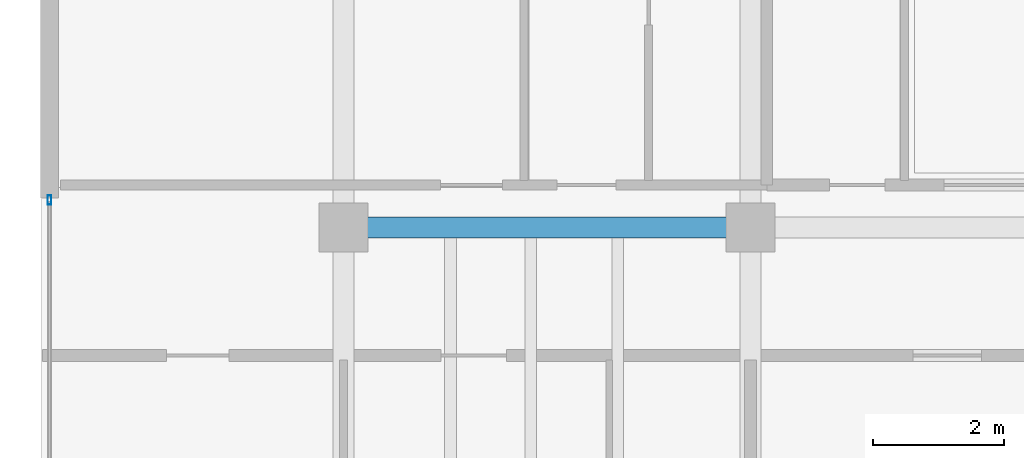
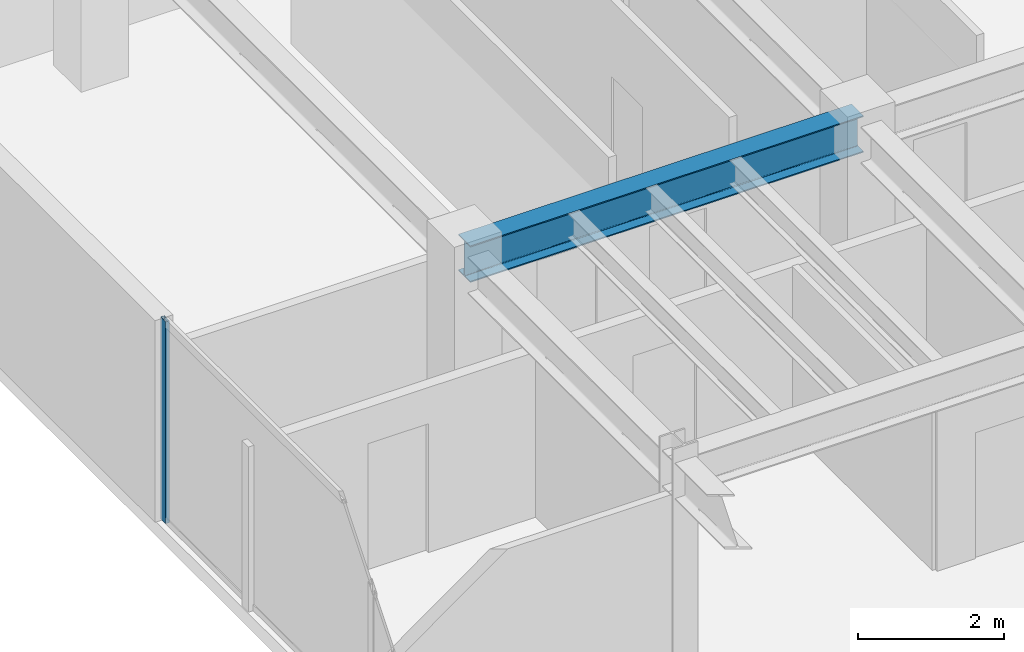
# One storey, part 11 of 16: 1 beam, 1 member, 1 element without a shape of its own.
"""IFC4 building model written with IfcOpenShell, lengths in metres."""

from ifc_helpers import new_model, si_unit, direction, frame, origin, origin_2d, place, context, subcontext, project, spatial, hollow_rectangle, i_section, extrude, material, layer, layer_set, material_profile, profile_set, type_object, element, aggregate, save


model = new_model("IFC4")

# Units and contexts
model_context = context("Model", 3, precision=1e-05, world=origin(), true_north=direction((0.0, 1.0)))
body_context = subcontext(model_context, "Body", "Model", "MODEL_VIEW")
ifc_project = project(units=[si_unit("LENGTHUNIT", "METRE"), si_unit("AREAUNIT", "SQUARE_METRE"), si_unit("VOLUMEUNIT", "CUBIC_METRE"), si_unit("PLANEANGLEUNIT", "RADIAN"), si_unit("MASSUNIT", "GRAM", prefix="KILO")], contexts=[model_context])

# Site, building, storey
site_placement = place(None, origin())
site = spatial("IfcSite", under=ifc_project, at=site_placement, CompositionType="ELEMENT")
building_placement = place(site_placement, origin())
building = spatial("IfcBuilding", under=site, at=building_placement, Name="Kravanh Interchange Tower", CompositionType="ELEMENT")
storey_placement = place(building_placement, frame((0.0, 0.0, 303.89990234375)))
storey = spatial("IfcBuildingStorey", under=building, at=storey_placement, Name="L75", CompositionType="ELEMENT", Elevation=303.89990234375)

# Curtain wall, member
ifc_material_1 = material(Name="Anodised Bronze Aluminium", Category="aluminium")
ifc_layer = layer(ifc_material_1, 0.179931640625)
ifc_layer_set = layer_set([ifc_layer], Name="Unitised Curtain Wall System CW-HTL Luxury Hotel")
curtain_wall_type = type_object("IfcCurtainWallType", Name="Unitised Curtain Wall System CW-HTL Luxury Hotel", PredefinedType="NOTDEFINED", material=ifc_layer_set)
curtain_wall_placement = place(storey_placement, origin())
curtain_wall = element("IfcCurtainWall", 1, at=curtain_wall_placement, inside=storey, type_object=curtain_wall_type, Name="L75 Unitised Curtain Wall CW-L75-01", PredefinedType="NOTDEFINED")
ifc_material_2 = material(Name="Anodised Bronze Aluminium", Category="aluminium")
ifc_material_profile_1 = material_profile(ifc_material_2, hollow_rectangle(XDim=0.06005859375, YDim=0.139892578125, WallThickness=0.00390625, at=origin_2d()), Name="ALU60X140X4")
ifc_profile_set_1 = profile_set([ifc_material_profile_1], Name="Anodised Bronze Aluminium")
member_type = type_object("IfcMemberType", Name="Curtain Wall Mullion ALU60X140X4 Bronze", PredefinedType="MULLION", material=ifc_profile_set_1)
member_placement = place(storey_placement, frame((34.1201171875, 37.77001953125, 0.0), z_axis=(0.0, 0.0, 1.0), x_axis=(-1.0, 0.0, 0.0)))
member = element("IfcMember", 2, at=member_placement, type_object=member_type, Name="CW-HTL mullion 4", PredefinedType="MULLION", context=body_context, shape_type="SweptSolid", body=[
    extrude(hollow_rectangle(XDim=0.06005859375, YDim=0.139892578125, WallThickness=0.00390625, at=origin_2d()), origin(), (0.0, 0.0, 1.0), 3.364990234375),
])
aggregate(curtain_wall, [member])

# Beam
ifc_material_3 = material(Name="Structural Steel S355", Category="steel")
ifc_material_profile_2 = material_profile(ifc_material_3, i_section(OverallWidth=0.323974609375, OverallDepth=0.611083984375, WebThickness=0.0126953125, FlangeThickness=0.01904296875, FilletRadius=0.02197265625, at=origin_2d()), Name="W24X104")
ifc_profile_set_2 = profile_set([ifc_material_profile_2], Name="Structural Steel S355")
beam_type = type_object("IfcBeamType", Name="Floor Beam W24X104 Structural Steel S355", PredefinedType="BEAM", material=ifc_profile_set_2)
beam_placement = place(storey_placement, frame((44.800048828125, 37.35009765625, 3.0595703125), z_axis=(-1.0, 0.0, 0.0), x_axis=(0.0, -1.0, 0.0)))
element("IfcBeam", 3, at=beam_placement, inside=storey, type_object=beam_type, Name="L75 Primary Floor Girder 37", PredefinedType="BEAM", context=body_context, shape_type="SweptSolid", body=[
    extrude(i_section(OverallWidth=0.323974609375, OverallDepth=0.611083984375, WebThickness=0.0126953125, FlangeThickness=0.01904296875, FilletRadius=0.02197265625, at=origin_2d()), origin(), (0.0, 0.0, 1.0), 6.199951171875),
])

save(model, "model.ifc")
